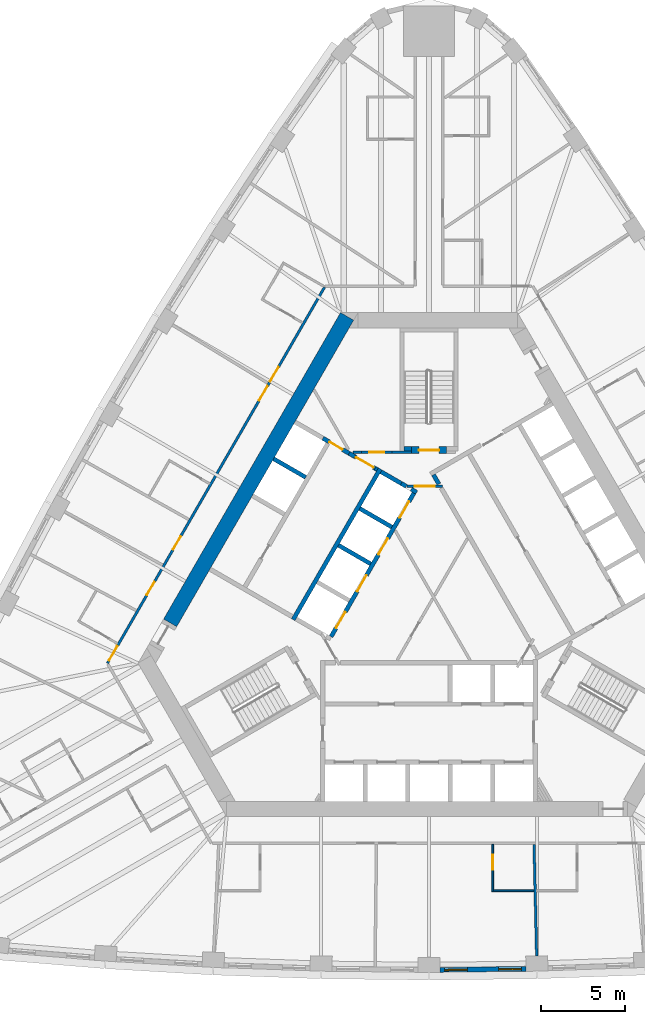
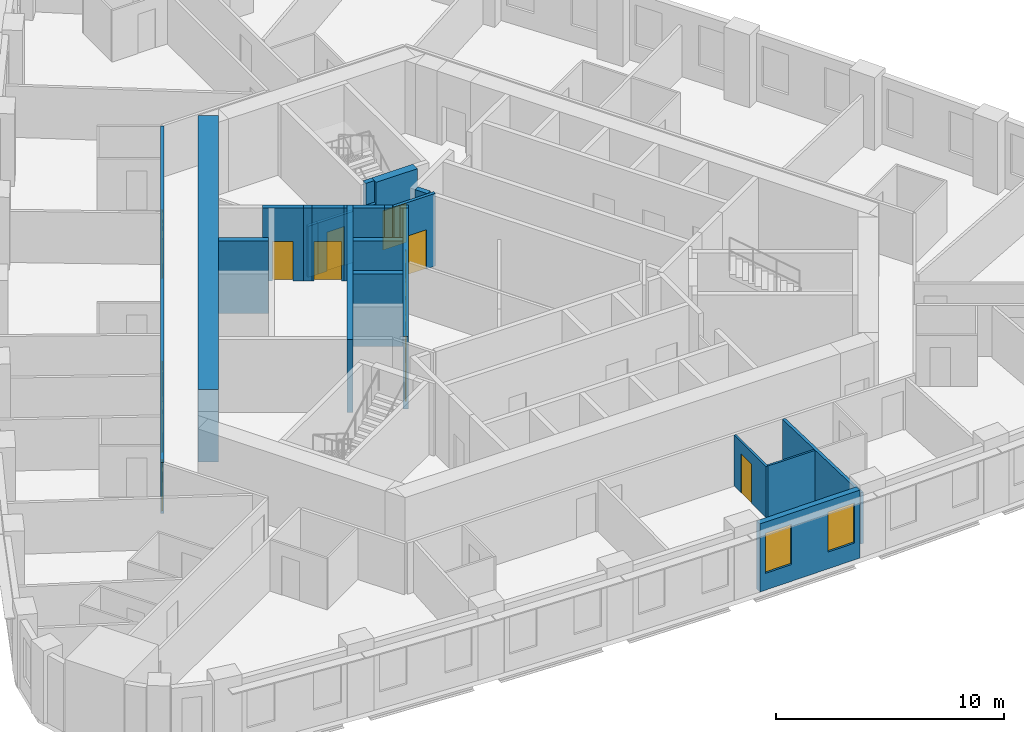
# One storey, part 6 of 12: 25 walls, 15 doors, 2 windows, 17 openings.
"""IFC4 building model written with IfcOpenShell, lengths in metres."""

from ifc_helpers import new_model, si_unit, direction, frame, frame_2d, origin, place, context, subcontext, project, spatial, polyline, rectangle, outline, extrude, material, layer, layer_set, type_object, element, fill, save


model = new_model("IFC4")

# Units and contexts
model_context = context("Model", 3, precision=1e-05, world=origin(), true_north=direction((0.0, 1.0)))
body_context = subcontext(model_context, "Body", "Model", "MODEL_VIEW")
ifc_project = project(units=[si_unit("LENGTHUNIT", "METRE"), si_unit("AREAUNIT", "SQUARE_METRE"), si_unit("VOLUMEUNIT", "CUBIC_METRE"), si_unit("PLANEANGLEUNIT", "RADIAN"), si_unit("MASSUNIT", "GRAM", prefix="KILO")], contexts=[model_context])

# Site, building, storey
site_placement = place(None, origin())
site = spatial("IfcSite", under=ifc_project, at=site_placement, CompositionType="ELEMENT")
building_placement = place(site_placement, origin())
building = spatial("IfcBuilding", under=site, at=building_placement, Name="Mestral Congress Tower", CompositionType="ELEMENT")
storey_placement = place(building_placement, frame((0.0, 0.0, 122.699951171875)))
storey = spatial("IfcBuildingStorey", under=building, at=storey_placement, Name="L29", CompositionType="ELEMENT", Elevation=122.699951171875)

# Walls
ifc_material_1 = material(Name="Fire-rated board partition")
ifc_layer_1 = layer(ifc_material_1, 0.14990234375)
ifc_layer_set_1 = layer_set([ifc_layer_1], Name="Fire-rated board partition")
wall_type_1 = type_object("IfcWallType", Name="Core partition 150", PredefinedType="PARTITIONING", material=ifc_layer_set_1)
wall_1_placement = place(storey_placement, frame((-2.195068359375, 8.62548828125, 0.0), z_axis=(0.0, 0.0, 1.0), x_axis=(1.0, 0.0, 0.0)))
element("IfcWall", 1, at=wall_1_placement, inside=storey, type_object=wall_type_1, Name="L29 core wall", PredefinedType="PARTITIONING", context=body_context, shape_type="SweptSolid", body=[
    extrude(rectangle(XDim=1.14501953125, YDim=0.14990234375, at=frame_2d((0.572509765625, 0.0))), origin(), (0.0, 0.0, 1.0), 2.75),
])
wall_2_placement = place(storey_placement, frame((-4.497802734375, 8.625244140625, 0.0), z_axis=(0.0, 0.0, 1.0), x_axis=(1.0, 0.0, 0.0)))
element("IfcWall", 2, at=wall_2_placement, inside=storey, type_object=wall_type_1, Name="L29 core wall", PredefinedType="PARTITIONING", context=body_context, shape_type="SweptSolid", body=[
    extrude(rectangle(XDim=0.50244140625, YDim=0.14990234375, at=frame_2d((0.251220703125, 0.0))), origin(), (0.0, 0.0, 1.0), 2.75),
])

# Wall, opening, door
wall_3_placement = place(storey_placement, frame((-2.1953125, 8.625, 0.0), z_axis=(0.0, 0.0, 1.0), x_axis=(-1.0, 0.0, 0.0)))
wall_3 = element("IfcWall", 3, at=wall_3_placement, inside=storey, type_object=wall_type_1, Name="L29 door wall", PredefinedType="PARTITIONING", context=body_context, shape_type="SweptSolid", body=[
    extrude(rectangle(XDim=1.7998046875, YDim=0.14990234375, at=frame_2d((0.89990234375, 0.0))), origin(), (0.0, 0.0, 1.0), 2.75),
])
opening_1_placement = place(wall_3_placement, frame((0.449951171875, 0.0, 0.0)))
opening_1 = element("IfcOpeningElement", 4, at=opening_1_placement, cuts=wall_3, Name="Opening TD2", PredefinedType="OPENING", context=body_context, shape_type="SweptSolid", body=[
    extrude(rectangle(XDim=0.89990234375, YDim=2.10009765625, at=frame_2d((0.449951171875, 1.050048828125))), frame((0.0, 0.0849609375, 0.0), z_axis=(0.0, -1.0, 0.0), x_axis=(1.0, 0.0, 0.0)), (0.0, 0.0, 1.0), 0.169921875),
])
ifc_material_2 = material(Name="Fire-rated steel door set", Category="steel")
door_type_1 = type_object("IfcDoorType", Name="Core door SR 900x2100", OperationType="SINGLE_SWING_LEFT", PredefinedType="DOOR", material=ifc_material_2)
door_1_placement = place(opening_1_placement, origin())
door_1 = element("IfcDoor", 5, at=door_1_placement, inside=storey, type_object=door_type_1, Name="Door TD2", OperationType="SINGLE_SWING_LEFT", OverallHeight=2.10009765625, OverallWidth=0.89990234375, PredefinedType="DOOR", context=body_context, shape_type="SweptSolid", body=[
    extrude(rectangle(XDim=0.89990234375, YDim=2.10009765625, at=frame_2d((0.449951171875, 1.050048828125))), frame((0.0, 0.02490234375, 0.0), z_axis=(0.0, -1.0, 0.0), x_axis=(1.0, 0.0, 0.0)), (0.0, 0.0, 1.0), 0.050048828125),
])
fill(opening_1, door_1)

# Wall
ifc_material_3 = material(Name="Concrete C60/75", Category="concrete")
ifc_layer_2 = layer(ifc_material_3, 0.89990234375)
ifc_layer_set_2 = layer_set([ifc_layer_2], Name="Concrete C60/75")
wall_type_2 = type_object("IfcWallType", Name="Core wall RC 900", PredefinedType="SOLIDWALL", material=ifc_layer_set_2)
wall_4_placement = place(storey_placement, frame((-15.359619140625, -1.50341796875, 0.0), z_axis=(0.0, 0.0, 1.0), x_axis=(0.50000389221, 0.866023156604, 0.0)))
element("IfcWall", 6, at=wall_4_placement, inside=storey, type_object=wall_type_2, Name="L29 core wall", PredefinedType="SOLIDWALL", context=body_context, shape_type="SweptSolid", body=[
    extrude(rectangle(XDim=21.000244140625, YDim=0.89990234375, at=frame_2d((10.5, 0.0))), origin(), (0.0, 0.0, 1.0), 3.900146484375),
])

# Wall, openings, windows
ifc_material_4 = material(Name="Precast concrete C40/50 with limestone facing", Category="masonry")
ifc_layer_3 = layer(ifc_material_4, 0.2900390625)
ifc_layer_set_3 = layer_set([ifc_layer_3], Name="Precast concrete C40/50 with limestone facing")
wall_type_3 = type_object("IfcWallType", Name="Facade stone wall 290", PredefinedType="SOLIDWALL", material=ifc_layer_set_3)
wall_5_placement = place(storey_placement, frame((0.6533203125, -22.091064453125, 0.0), z_axis=(0.0, 0.0, 1.0), x_axis=(0.999931786565, 0.011679992145, 0.0)))
wall_5 = element("IfcWall", 7, at=wall_5_placement, inside=storey, type_object=wall_type_3, Name="Facade wall F0-04", PredefinedType="SOLIDWALL", context=body_context, shape_type="SweptSolid", body=[
    extrude(rectangle(XDim=5.10009765625, YDim=0.2900390625, at=frame_2d((2.550048828125, 0.0))), origin(), (0.0, 0.0, 1.0), 3.650146484375),
])
opening_2_placement = place(wall_5_placement, frame((0.272705078125, 0.0, 0.89990234375)))
opening_2 = element("IfcOpeningElement", 8, at=opening_2_placement, cuts=wall_5, Name="Opening W2", PredefinedType="OPENING", context=body_context, shape_type="SweptSolid", body=[
    extrude(rectangle(XDim=1.35009765625, YDim=2.14990234375, at=frame_2d((0.675048828125, 1.074951171875))), frame((0.0, 0.155029296875, 0.0), z_axis=(0.0, -1.0, 0.0), x_axis=(1.0, 0.0, 0.0)), (0.0, 0.0, 1.0), 0.31005859375),
])
opening_3_placement = place(wall_5_placement, frame((3.477783203125, 0.0, 0.89990234375)))
opening_3 = element("IfcOpeningElement", 9, at=opening_3_placement, cuts=wall_5, Name="Opening W2", PredefinedType="OPENING", context=body_context, shape_type="SweptSolid", body=[
    extrude(rectangle(XDim=1.35009765625, YDim=2.14990234375, at=frame_2d((0.675048828125, 1.074951171875))), frame((0.0, 0.155029296875, 0.0), z_axis=(0.0, -1.0, 0.0), x_axis=(1.0, 0.0, 0.0)), (0.0, 0.0, 1.0), 0.31005859375),
])
ifc_material_5 = material(Name="Clear low-emissivity double glazing", Category="glass")
window_type = type_object("IfcWindowType", Name="Facade punched window 1350 x 2150 sill 900", PartitioningType="DOUBLE_PANEL_VERTICAL", PredefinedType="WINDOW", material=ifc_material_5)
window_1_placement = place(opening_2_placement, origin())
window_1 = element("IfcWindow", 10, at=window_1_placement, inside=storey, type_object=window_type, Name="Window F0-04a", OverallHeight=2.14990234375, OverallWidth=1.35009765625, PartitioningType="DOUBLE_PANEL_VERTICAL", PredefinedType="WINDOW", context=body_context, shape_type="SweptSolid", body=[
    extrude(rectangle(XDim=1.35009765625, YDim=2.14990234375, at=frame_2d((0.675048828125, 1.074951171875))), frame((0.0, 0.01513671875, 0.0), z_axis=(0.0, -1.0, 0.0), x_axis=(1.0, 0.0, 0.0)), (0.0, 0.0, 1.0), 0.06005859375),
])
fill(opening_2, window_1)
window_2_placement = place(opening_3_placement, origin())
window_2 = element("IfcWindow", 11, at=window_2_placement, inside=storey, type_object=window_type, Name="Window F0-04b", OverallHeight=2.14990234375, OverallWidth=1.35009765625, PartitioningType="DOUBLE_PANEL_VERTICAL", PredefinedType="WINDOW", context=body_context, shape_type="SweptSolid", body=[
    extrude(rectangle(XDim=1.35009765625, YDim=2.14990234375, at=frame_2d((0.675048828125, 1.074951171875))), frame((0.0, 0.01513671875, 0.0), z_axis=(0.0, -1.0, 0.0), x_axis=(1.0, 0.0, 0.0)), (0.0, 0.0, 1.0), 0.06005859375),
])
fill(opening_3, window_2)

# Wall, opening, door
ifc_material_6 = material(Name="Gypsum board partition on metal studs with mineral wool", Category="composite")
ifc_layer_4 = layer(ifc_material_6, 0.10009765625)
ifc_layer_set_4 = layer_set([ifc_layer_4], Name="Gypsum board partition on metal studs with mineral wool")
wall_type_4 = type_object("IfcWallType", Name="Hotel partition wall 100", PredefinedType="PARTITIONING", material=ifc_layer_set_4)
wall_6_placement = place(storey_placement, frame((3.7802734375, -14.64990234375, 0.0), z_axis=(0.0, 0.0, 1.0), x_axis=(0.0, -1.0, 0.0)))
wall_6 = element("IfcWall", 12, at=wall_6_placement, inside=storey, type_object=wall_type_4, Name="L29-h-pod03a", PredefinedType="PARTITIONING", context=body_context, shape_type="SweptSolid", body=[
    extrude(rectangle(XDim=2.800048828125, YDim=0.10009765625, at=frame_2d((1.39990234375, 0.0))), origin(), (0.0, 0.0, 1.0), 2.75),
])
opening_4_placement = place(wall_6_placement, frame((0.60009765625, 0.0, 0.0)))
opening_4 = element("IfcOpeningElement", 13, at=opening_4_placement, cuts=wall_6, Name="Opening H09-006", PredefinedType="OPENING", context=body_context, shape_type="SweptSolid", body=[
    extrude(rectangle(XDim=0.89990234375, YDim=2.10009765625, at=frame_2d((0.449951171875, 1.050048828125))), frame((0.0, 0.06005859375, 0.0), z_axis=(0.0, -1.0, 0.0), x_axis=(1.0, 0.0, 0.0)), (0.0, 0.0, 1.0), 0.1201171875),
])
ifc_material_7 = material(Name="Timber veneer door leaf in timber frame", Category="wood")
door_type_2 = type_object("IfcDoorType", Name="Bathroom door 900", OperationType="SINGLE_SWING_LEFT", PredefinedType="DOOR", material=ifc_material_7)
door_2_placement = place(opening_4_placement, origin())
door_2 = element("IfcDoor", 14, at=door_2_placement, inside=storey, type_object=door_type_2, Name="L29-h-d006", OperationType="SINGLE_SWING_RIGHT", OverallHeight=2.10009765625, OverallWidth=0.89990234375, PredefinedType="DOOR", context=body_context, shape_type="SweptSolid", body=[
    extrude(rectangle(XDim=0.89990234375, YDim=2.10009765625, at=frame_2d((0.449951171875, 1.050048828125))), frame((0.0, 0.02490234375, 0.0), z_axis=(0.0, -1.0, 0.0), x_axis=(1.0, 0.0, 0.0)), (0.0, 0.0, 1.0), 0.050048828125),
])
fill(opening_4, door_2)

# Wall
wall_7_placement = place(storey_placement, frame((3.830078125, -17.39990234375, 0.0), z_axis=(0.0, 0.0, 1.0), x_axis=(1.0, 0.0, 0.0)))
element("IfcWall", 15, at=wall_7_placement, inside=storey, type_object=wall_type_4, Name="L29-h-pod03b", PredefinedType="PARTITIONING", context=body_context, shape_type="SweptSolid", body=[
    extrude(rectangle(XDim=2.39013671875, YDim=0.10009765625, at=frame_2d((1.195068359375, 0.0))), origin(), (0.0, 0.0, 1.0), 2.75),
])

# Wall, openings, doors
ifc_layer_5 = layer(ifc_material_6, 0.14990234375)
ifc_layer_set_5 = layer_set([ifc_layer_5], Name="Gypsum board partition on metal studs with mineral wool")
wall_type_5 = type_object("IfcWallType", Name="Hotel partition wall 150", PredefinedType="PARTITIONING", material=ifc_layer_set_5)
wall_8_placement = place(storey_placement, frame((-19.081298828125, -3.89990234375, 0.0), z_axis=(0.0, 0.0, 1.0), x_axis=(0.499998313975, 0.866026377209, 0.0)))
wall_8 = element("IfcWall", 16, at=wall_8_placement, inside=storey, type_object=wall_type_5, Name="L29-h-cw08", PredefinedType="PARTITIONING", context=body_context, shape_type="SweptSolid", body=[
    extrude(rectangle(XDim=25.76611328125, YDim=0.14990234375, at=frame_2d((12.883056640625, 0.0))), origin(), (0.0, 0.0, 1.0), 2.75),
])
opening_5_placement = place(wall_8_placement, frame((19.30615234375, 0.0, 0.0)))
opening_5 = element("IfcOpeningElement", 17, at=opening_5_placement, cuts=wall_8, Name="Opening H09-027", PredefinedType="OPENING", context=body_context, shape_type="SweptSolid", body=[
    extrude(rectangle(XDim=1.0, YDim=2.10009765625, at=frame_2d((0.5, 1.050048828125))), frame((0.0, 0.0849609375, 0.0), z_axis=(0.0, -1.0, 0.0), x_axis=(1.0, 0.0, 0.0)), (0.0, 0.0, 1.0), 0.169921875),
])
opening_6_placement = place(wall_8_placement, frame((17.99951171875, 0.0, 0.0)))
opening_6 = element("IfcOpeningElement", 18, at=opening_6_placement, cuts=wall_8, Name="Opening H09-029", PredefinedType="OPENING", context=body_context, shape_type="SweptSolid", body=[
    extrude(rectangle(XDim=1.0, YDim=2.10009765625, at=frame_2d((0.5, 1.050048828125))), frame((0.0, 0.0849609375, 0.0), z_axis=(0.0, -1.0, 0.0), x_axis=(1.0, 0.0, 0.0)), (0.0, 0.0, 1.0), 0.169921875),
])
opening_7_placement = place(wall_8_placement, frame((7.792724609375, 0.0, 0.0)))
opening_7 = element("IfcOpeningElement", 19, at=opening_7_placement, cuts=wall_8, Name="Opening H09-031", PredefinedType="OPENING", context=body_context, shape_type="SweptSolid", body=[
    extrude(rectangle(XDim=0.89990234375, YDim=2.10009765625, at=frame_2d((0.449951171875, 1.050048828125))), frame((0.0, 0.0849609375, 0.0), z_axis=(0.0, -1.0, 0.0), x_axis=(1.0, 0.0, 0.0)), (0.0, 0.0, 1.0), 0.169921875),
])
opening_8_placement = place(wall_8_placement, frame((4.674072265625, 0.0, 0.0)))
opening_8 = element("IfcOpeningElement", 20, at=opening_8_placement, cuts=wall_8, Name="Opening H09-032", PredefinedType="OPENING", context=body_context, shape_type="SweptSolid", body=[
    extrude(rectangle(XDim=0.89990234375, YDim=2.10009765625, at=frame_2d((0.449951171875, 1.050048828125))), frame((0.0, 0.0849609375, 0.0), z_axis=(0.0, -1.0, 0.0), x_axis=(1.0, 0.0, 0.0)), (0.0, 0.0, 1.0), 0.169921875),
])
opening_9_placement = place(wall_8_placement, frame((0.179931640625, 0.0, 0.0)))
opening_9 = element("IfcOpeningElement", 21, at=opening_9_placement, cuts=wall_8, Name="Opening H09-033", PredefinedType="OPENING", context=body_context, shape_type="SweptSolid", body=[
    extrude(rectangle(XDim=1.0, YDim=2.10009765625, at=frame_2d((0.5, 1.050048828125))), frame((0.0, 0.0849609375, 0.0), z_axis=(0.0, -1.0, 0.0), x_axis=(1.0, 0.0, 0.0)), (0.0, 0.0, 1.0), 0.169921875),
])
ifc_material_8 = material(Name="Timber veneer door leaf in metal frame", Category="wood")
door_type_3 = type_object("IfcDoorType", Name="Guest room entrance door 1000", OperationType="SINGLE_SWING_LEFT", PredefinedType="DOOR", material=ifc_material_8)
door_3_placement = place(opening_5_placement, origin())
door_3 = element("IfcDoor", 22, at=door_3_placement, inside=storey, type_object=door_type_3, Name="L29-h-d027", OperationType="SINGLE_SWING_LEFT", OverallHeight=2.10009765625, OverallWidth=1.0, PredefinedType="DOOR", context=body_context, shape_type="SweptSolid", body=[
    extrude(rectangle(XDim=1.0, YDim=2.10009765625, at=frame_2d((0.5, 1.050048828125))), frame((0.0, 0.02490234375, 0.0), z_axis=(0.0, -1.0, 0.0), x_axis=(1.0, 0.0, 0.0)), (0.0, 0.0, 1.0), 0.050048828125),
])
fill(opening_5, door_3)
door_4_placement = place(opening_6_placement, origin())
door_4 = element("IfcDoor", 23, at=door_4_placement, inside=storey, type_object=door_type_3, Name="L29-h-d029", OperationType="SINGLE_SWING_RIGHT", OverallHeight=2.10009765625, OverallWidth=1.0, PredefinedType="DOOR", context=body_context, shape_type="SweptSolid", body=[
    extrude(rectangle(XDim=1.0, YDim=2.10009765625, at=frame_2d((0.5, 1.050048828125))), frame((0.0, 0.02490234375, 0.0), z_axis=(0.0, -1.0, 0.0), x_axis=(1.0, 0.0, 0.0)), (0.0, 0.0, 1.0), 0.050048828125),
])
fill(opening_6, door_4)
door_5_placement = place(opening_9_placement, origin())
door_5 = element("IfcDoor", 24, at=door_5_placement, inside=storey, type_object=door_type_3, Name="L29-h-d033", OperationType="SINGLE_SWING_LEFT", OverallHeight=2.10009765625, OverallWidth=1.0, PredefinedType="DOOR", context=body_context, shape_type="SweptSolid", body=[
    extrude(rectangle(XDim=1.0, YDim=2.10009765625, at=frame_2d((0.5, 1.050048828125))), frame((0.0, 0.02490234375, 0.0), z_axis=(0.0, -1.0, 0.0), x_axis=(1.0, 0.0, 0.0)), (0.0, 0.0, 1.0), 0.050048828125),
])
fill(opening_9, door_5)
door_type_4 = type_object("IfcDoorType", Name="Service room door 900", OperationType="SINGLE_SWING_LEFT", PredefinedType="DOOR", material=ifc_material_8)
door_6_placement = place(opening_7_placement, origin())
door_6 = element("IfcDoor", 25, at=door_6_placement, inside=storey, type_object=door_type_4, Name="L29-h-d031", OperationType="SINGLE_SWING_RIGHT", OverallHeight=2.10009765625, OverallWidth=0.89990234375, PredefinedType="DOOR", context=body_context, shape_type="SweptSolid", body=[
    extrude(rectangle(XDim=0.89990234375, YDim=2.10009765625, at=frame_2d((0.449951171875, 1.050048828125))), frame((0.0, 0.02490234375, 0.0), z_axis=(0.0, -1.0, 0.0), x_axis=(1.0, 0.0, 0.0)), (0.0, 0.0, 1.0), 0.050048828125),
])
fill(opening_7, door_6)
door_7_placement = place(opening_8_placement, origin())
door_7 = element("IfcDoor", 26, at=door_7_placement, inside=storey, type_object=door_type_4, Name="L29-h-d032", OperationType="SINGLE_SWING_LEFT", OverallHeight=2.10009765625, OverallWidth=0.89990234375, PredefinedType="DOOR", context=body_context, shape_type="SweptSolid", body=[
    extrude(rectangle(XDim=0.89990234375, YDim=2.10009765625, at=frame_2d((0.449951171875, 1.050048828125))), frame((0.0, 0.02490234375, 0.0), z_axis=(0.0, -1.0, 0.0), x_axis=(1.0, 0.0, 0.0)), (0.0, 0.0, 1.0), 0.050048828125),
])
fill(opening_8, door_7)

# Walls
wall_9_placement = place(storey_placement, frame((6.388916015625, -21.268798828125, 0.0), z_axis=(0.0, 0.0, 1.0), x_axis=(-0.023377429176, 0.999726710559, 0.0)))
element("IfcWall", 27, at=wall_9_placement, inside=storey, type_object=wall_type_5, Name="L29-h-pw14", PredefinedType="PARTITIONING", context=body_context, shape_type="SweptSolid", body=[
    extrude(rectangle(XDim=6.610595703125, YDim=0.14990234375, at=frame_2d((3.30517578125, 0.0))), origin(), (0.0, 0.0, 1.0), 2.75),
])
ifc_layer_6 = layer(ifc_material_3, 0.25)
ifc_layer_set_6 = layer_set([ifc_layer_6], Name="Concrete C60/75")
wall_type_6 = type_object("IfcWallType", Name="Shaft wall RC 250", PredefinedType="SOLIDWALL", material=ifc_layer_set_6)
wall_10_placement = place(storey_placement, frame((0.268310546875, 7.28515625, 0.0), z_axis=(0.0, 0.0, 1.0), x_axis=(0.500098681536, -0.865968422476, 0.0)))
element("IfcWall", 28, at=wall_10_placement, inside=storey, type_object=wall_type_6, Name="L29 core wall", PredefinedType="SOLIDWALL", context=body_context, shape_type="SweptSolid", body=[
    extrude(rectangle(XDim=0.636474609375, YDim=0.25, at=frame_2d((0.318359375, 0.0))), origin(), (0.0, 0.0, 1.0), 3.900146484375),
])
wall_11_placement = place(storey_placement, frame((-8.06005859375, -1.310546875, 0.0), z_axis=(0.0, 0.0, 1.0), x_axis=(0.50000273126, 0.866023826885, 0.0)))
element("IfcWall", 29, at=wall_11_placement, inside=storey, type_object=wall_type_6, Name="L29 core wall", PredefinedType="SOLIDWALL", context=body_context, shape_type="SweptSolid", body=[
    extrude(rectangle(XDim=10.330078125, YDim=0.25, at=frame_2d((5.1650390625, 0.0))), origin(), (0.0, 0.0, 1.0), 3.900146484375),
])
wall_12_placement = place(storey_placement, frame((-1.34228515625, 6.5947265625, 0.0), z_axis=(0.0, 0.0, 1.0), x_axis=(-0.866046247233, 0.49996389635, 0.0)))
element("IfcWall", 30, at=wall_12_placement, inside=storey, type_object=wall_type_6, Name="L29 core wall", PredefinedType="SOLIDWALL", context=body_context, shape_type="SweptSolid", body=[
    extrude(rectangle(XDim=0.35009765625, YDim=0.25, at=frame_2d((0.175048828125, 0.0))), origin(), (0.0, 0.0, 1.0), 3.900146484375),
])
wall_13_placement = place(storey_placement, frame((-1.6474609375, 6.770751953125, 0.0), z_axis=(0.0, 0.0, 1.0), x_axis=(-0.865971728693, 0.500092956464, 0.0)))
element("IfcWall", 31, at=wall_13_placement, inside=storey, type_object=wall_type_6, Name="L29 core wall", PredefinedType="SOLIDWALL", context=body_context, shape_type="SweptSolid", body=[
    extrude(rectangle(XDim=1.387939453125, YDim=0.25, at=frame_2d((0.69384765625, 0.0))), origin(), (0.0, 0.0, 1.0), 3.900146484375),
])
wall_14_placement = place(storey_placement, frame((-0.7275390625, 6.23974609375, 0.0), z_axis=(0.0, 0.0, 1.0), x_axis=(-0.866088799389, 0.499890179513, 0.0)))
element("IfcWall", 32, at=wall_14_placement, inside=storey, type_object=wall_type_6, Name="L29 core wall", PredefinedType="SOLIDWALL", context=body_context, shape_type="SweptSolid", body=[
    extrude(rectangle(XDim=0.3779296875, YDim=0.25, at=frame_2d((0.18896484375, 0.0))), origin(), (0.0, 0.0, 1.0), 3.900146484375),
])
for number, where, z_axis, x_axis, name in (
    (33, (-2.2041015625, 4.182373046875, 0.0), (0.0, 0.0, 1.0), (-0.866008176907, 0.50002983664, 0.0), "L29 core wall"),
    (34, (-5.369384765625, 3.10009765625, 0.0), (0.0, 0.0, 1.0), (0.866008176907, -0.50002983664, 0.0), "L29 core wall"),
):
    element("IfcWall", number, at=place(storey_placement, frame(where, z_axis=z_axis, x_axis=x_axis)), inside=storey, type_object=wall_type_6, Name=name, PredefinedType="SOLIDWALL", context=body_context, shape_type="SweptSolid", body=[
        extrude(rectangle(XDim=2.199951171875, YDim=0.25, at=frame_2d((1.10009765625, 0.0))), origin(), (0.0, 0.0, 1.0), 3.900146484375),
    ])
wall_15_placement = place(storey_placement, origin())
element("IfcWall", 35, at=wall_15_placement, inside=storey, type_object=wall_type_6, Name="L29 core wall", PredefinedType="SOLIDWALL", context=body_context, shape_type="SweptSolid", body=[
    extrude(outline(polyline([(-3.12841796875, 7.4814453125), (-3.2587890625, 7.556640625), (-3.1337890625, 7.773193359375), (-3.00341796875, 7.697998046875), (-3.12841796875, 7.4814453125)])), origin(), (0.0, 0.0, 1.0), 3.900146484375),
])
wall_16_placement = place(storey_placement, frame((-7.313720703125, 7.13232421875, 0.0), z_axis=(0.0, 0.0, 1.0), x_axis=(-0.866008176907, 0.50002983664, 0.0)))
element("IfcWall", 36, at=wall_16_placement, inside=storey, type_object=wall_type_6, Name="L29 core wall", PredefinedType="SOLIDWALL", context=body_context, shape_type="SweptSolid", body=[
    extrude(rectangle(XDim=2.199951171875, YDim=0.25, at=frame_2d((1.10009765625, 0.0))), origin(), (0.0, 0.0, 1.0), 3.900146484375),
])
wall_17_placement = place(storey_placement, frame((-4.40869140625, 8.364990234375, 0.0), z_axis=(0.0, 0.0, 1.0), x_axis=(-0.866057014183, 0.499945245186, 0.0)))
element("IfcWall", 37, at=wall_17_placement, inside=storey, type_object=wall_type_6, Name="L29 core wall", PredefinedType="SOLIDWALL", context=body_context, shape_type="SweptSolid", body=[
    extrude(rectangle(XDim=0.37939453125, YDim=0.25, at=frame_2d((0.189697265625, 0.0))), origin(), (0.0, 0.0, 1.0), 3.900146484375),
])

# Wall, openings, doors
wall_18_placement = place(storey_placement, frame((-0.898193359375, 6.194091796875, 0.0), z_axis=(0.0, 0.0, 1.0), x_axis=(-0.499996202215, -0.866027596426, 0.0)))
wall_18 = element("IfcWall", 38, at=wall_18_placement, inside=storey, type_object=wall_type_6, Name="L29 door wall", PredefinedType="SOLIDWALL", context=body_context, shape_type="SweptSolid", body=[
    extrude(rectangle(XDim=9.830078125, YDim=0.25, at=frame_2d((4.9150390625, 0.0))), origin(), (0.0, 0.0, 1.0), 3.900146484375),
])
opening_10_placement = place(wall_18_placement, frame((0.5849609375, 0.0, 0.0)))
opening_10 = element("IfcOpeningElement", 39, at=opening_10_placement, cuts=wall_18, Name="Opening LD-NWB1", PredefinedType="OPENING", context=body_context, shape_type="SweptSolid", body=[
    extrude(rectangle(XDim=1.10009765625, YDim=2.10009765625, at=frame_2d((0.550048828125, 1.050048828125))), frame((0.0, 0.135009765625, 0.0), z_axis=(0.0, -1.0, 0.0), x_axis=(1.0, 0.0, 0.0)), (0.0, 0.0, 1.0), 0.27001953125),
])
opening_11_placement = place(wall_18_placement, frame((3.10498046875, 0.0, 0.0)))
opening_11 = element("IfcOpeningElement", 40, at=opening_11_placement, cuts=wall_18, Name="Opening LD-NWB2", PredefinedType="OPENING", context=body_context, shape_type="SweptSolid", body=[
    extrude(rectangle(XDim=1.10009765625, YDim=2.10009765625, at=frame_2d((0.550048828125, 1.050048828125))), frame((0.0, 0.135009765625, 0.0), z_axis=(0.0, -1.0, 0.0), x_axis=(1.0, 0.0, 0.0)), (0.0, 0.0, 1.0), 0.27001953125),
])
opening_12_placement = place(wall_18_placement, frame((5.625, 0.0, 0.0)))
opening_12 = element("IfcOpeningElement", 41, at=opening_12_placement, cuts=wall_18, Name="Opening LD-NWB3", PredefinedType="OPENING", context=body_context, shape_type="SweptSolid", body=[
    extrude(rectangle(XDim=1.10009765625, YDim=2.10009765625, at=frame_2d((0.550048828125, 1.050048828125))), frame((0.0, 0.135009765625, 0.0), z_axis=(0.0, -1.0, 0.0), x_axis=(1.0, 0.0, 0.0)), (0.0, 0.0, 1.0), 0.27001953125),
])
opening_13_placement = place(wall_18_placement, frame((8.14501953125, 0.0, 0.0)))
opening_13 = element("IfcOpeningElement", 42, at=opening_13_placement, cuts=wall_18, Name="Opening LD-NWB4", PredefinedType="OPENING", context=body_context, shape_type="SweptSolid", body=[
    extrude(rectangle(XDim=1.10009765625, YDim=2.10009765625, at=frame_2d((0.550048828125, 1.050048828125))), frame((0.0, 0.135009765625, 0.0), z_axis=(0.0, -1.0, 0.0), x_axis=(1.0, 0.0, 0.0)), (0.0, 0.0, 1.0), 0.27001953125),
])
door_type_5 = type_object("IfcDoorType", Name="Core door LD 1100x2100", OperationType="DOUBLE_DOOR_SLIDING", PredefinedType="DOOR", material=ifc_material_2)
door_8_placement = place(opening_10_placement, origin())
door_8 = element("IfcDoor", 43, at=door_8_placement, inside=storey, type_object=door_type_5, Name="Door LD-NWB1", OperationType="DOUBLE_DOOR_SLIDING", OverallHeight=2.10009765625, OverallWidth=1.10009765625, PredefinedType="DOOR", context=body_context, shape_type="SweptSolid", body=[
    extrude(rectangle(XDim=1.10009765625, YDim=2.10009765625, at=frame_2d((0.550048828125, 1.050048828125))), frame((0.0, 0.02490234375, 0.0), z_axis=(0.0, -1.0, 0.0), x_axis=(1.0, 0.0, 0.0)), (0.0, 0.0, 1.0), 0.050048828125),
])
fill(opening_10, door_8)
door_9_placement = place(opening_11_placement, origin())
door_9 = element("IfcDoor", 44, at=door_9_placement, inside=storey, type_object=door_type_5, Name="Door LD-NWB2", OperationType="DOUBLE_DOOR_SLIDING", OverallHeight=2.10009765625, OverallWidth=1.10009765625, PredefinedType="DOOR", context=body_context, shape_type="SweptSolid", body=[
    extrude(rectangle(XDim=1.10009765625, YDim=2.10009765625, at=frame_2d((0.550048828125, 1.050048828125))), frame((0.0, 0.02490234375, 0.0), z_axis=(0.0, -1.0, 0.0), x_axis=(1.0, 0.0, 0.0)), (0.0, 0.0, 1.0), 0.050048828125),
])
fill(opening_11, door_9)
door_10_placement = place(opening_12_placement, origin())
door_10 = element("IfcDoor", 45, at=door_10_placement, inside=storey, type_object=door_type_5, Name="Door LD-NWB3", OperationType="DOUBLE_DOOR_SLIDING", OverallHeight=2.10009765625, OverallWidth=1.10009765625, PredefinedType="DOOR", context=body_context, shape_type="SweptSolid", body=[
    extrude(rectangle(XDim=1.10009765625, YDim=2.10009765625, at=frame_2d((0.550048828125, 1.050048828125))), frame((0.0, 0.02490234375, 0.0), z_axis=(0.0, -1.0, 0.0), x_axis=(1.0, 0.0, 0.0)), (0.0, 0.0, 1.0), 0.050048828125),
])
fill(opening_12, door_10)
door_11_placement = place(opening_13_placement, origin())
door_11 = element("IfcDoor", 46, at=door_11_placement, inside=storey, type_object=door_type_5, Name="Door LD-NWB4", OperationType="DOUBLE_DOOR_SLIDING", OverallHeight=2.10009765625, OverallWidth=1.10009765625, PredefinedType="DOOR", context=body_context, shape_type="SweptSolid", body=[
    extrude(rectangle(XDim=1.10009765625, YDim=2.10009765625, at=frame_2d((0.550048828125, 1.050048828125))), frame((0.0, 0.02490234375, 0.0), z_axis=(0.0, -1.0, 0.0), x_axis=(1.0, 0.0, 0.0)), (0.0, 0.0, 1.0), 0.050048828125),
])
fill(opening_13, door_11)

# Wall, opening, door
wall_19_placement = place(storey_placement, frame((-4.40869140625, 8.364990234375, 0.0), z_axis=(0.0, 0.0, 1.0), x_axis=(0.866034573852, -0.49998411664, 0.0)))
wall_19 = element("IfcWall", 47, at=wall_19_placement, inside=storey, type_object=wall_type_6, Name="L29 door wall", PredefinedType="SOLIDWALL", context=body_context, shape_type="SweptSolid", body=[
    extrude(rectangle(XDim=1.39990234375, YDim=0.25, at=frame_2d((0.699951171875, 0.0))), origin(), (0.0, 0.0, 1.0), 3.900146484375),
])
opening_14_placement = place(wall_19_placement, frame((0.10009765625, 0.0, 0.0)))
opening_14 = element("IfcOpeningElement", 48, at=opening_14_placement, cuts=wall_19, Name="Opening LB2-WL2", PredefinedType="OPENING", context=body_context, shape_type="SweptSolid", body=[
    extrude(rectangle(XDim=1.199951171875, YDim=2.10009765625, at=frame_2d((0.60009765625, 1.050048828125))), frame((0.0, 0.135009765625, 0.0), z_axis=(0.0, -1.0, 0.0), x_axis=(1.0, 0.0, 0.0)), (0.0, 0.0, 1.0), 0.27001953125),
])
door_type_6 = type_object("IfcDoorType", Name="Core door LB 1200x2100", OperationType="SINGLE_SWING_LEFT", PredefinedType="DOOR", material=ifc_material_2)
door_12_placement = place(opening_14_placement, origin())
door_12 = element("IfcDoor", 49, at=door_12_placement, inside=storey, type_object=door_type_6, Name="Door LB2-WL2", OperationType="SINGLE_SWING_LEFT", OverallHeight=2.10009765625, OverallWidth=1.199951171875, PredefinedType="DOOR", context=body_context, shape_type="SweptSolid", body=[
    extrude(rectangle(XDim=1.199951171875, YDim=2.10009765625, at=frame_2d((0.60009765625, 1.050048828125))), frame((0.0, 0.02490234375, 0.0), z_axis=(0.0, -1.0, 0.0), x_axis=(1.0, 0.0, 0.0)), (0.0, 0.0, 1.0), 0.050048828125),
])
fill(opening_14, door_12)

wall_20_placement = place(storey_placement, frame((-4.7373046875, 8.5546875, 0.0), z_axis=(0.0, 0.0, 1.0), x_axis=(-0.865989075817, 0.500062916607, 0.0)))
wall_20 = element("IfcWall", 50, at=wall_20_placement, inside=storey, type_object=wall_type_6, Name="L29 door wall", PredefinedType="SOLIDWALL", context=body_context, shape_type="SweptSolid", body=[
    extrude(rectangle(XDim=1.800048828125, YDim=0.25, at=frame_2d((0.89990234375, 0.0))), origin(), (0.0, 0.0, 1.0), 3.900146484375),
])
opening_15_placement = place(wall_20_placement, frame((0.449951171875, 0.0, 0.0)))
opening_15 = element("IfcOpeningElement", 51, at=opening_15_placement, cuts=wall_20, Name="Opening SD-HUB3", PredefinedType="OPENING", context=body_context, shape_type="SweptSolid", body=[
    extrude(rectangle(XDim=0.89990234375, YDim=2.10009765625, at=frame_2d((0.449951171875, 1.050048828125))), frame((0.0, 0.135009765625, 0.0), z_axis=(0.0, -1.0, 0.0), x_axis=(1.0, 0.0, 0.0)), (0.0, 0.0, 1.0), 0.27001953125),
])
door_13_placement = place(opening_15_placement, origin())
door_13 = element("IfcDoor", 52, at=door_13_placement, inside=storey, type_object=door_type_1, Name="Door SD-HUB3", OperationType="SINGLE_SWING_LEFT", OverallHeight=2.10009765625, OverallWidth=0.89990234375, PredefinedType="DOOR", context=body_context, shape_type="SweptSolid", body=[
    extrude(rectangle(XDim=0.89990234375, YDim=2.10009765625, at=frame_2d((0.449951171875, 1.050048828125))), frame((0.0, 0.02490234375, 0.0), z_axis=(0.0, -1.0, 0.0), x_axis=(1.0, 0.0, 0.0)), (0.0, 0.0, 1.0), 0.050048828125),
])
fill(opening_15, door_13)

ifc_layer_7 = layer(ifc_material_3, 0.14990234375)
ifc_layer_set_7 = layer_set([ifc_layer_7], Name="Concrete C60/75")
wall_type_7 = type_object("IfcWallType", Name="Shaft wall RC 250 door-wall 150", PredefinedType="SOLIDWALL", material=ifc_layer_set_7)
wall_21_placement = place(storey_placement, frame((-1.303466796875, 6.60009765625, 0.0), z_axis=(0.0, 0.0, 1.0), x_axis=(1.0, 0.0, 0.0)))
wall_21 = element("IfcWall", 53, at=wall_21_placement, inside=storey, type_object=wall_type_7, Name="L29 door wall", PredefinedType="PARTITIONING", context=body_context, shape_type="SweptSolid", body=[
    extrude(rectangle(XDim=2.099853515625, YDim=0.14990234375, at=frame_2d((1.0498046875, 0.0))), origin(), (0.0, 0.0, 1.0), 3.900146484375),
])
opening_16_placement = place(wall_21_placement, frame((0.449951171875, 0.0, 0.0)))
opening_16 = element("IfcOpeningElement", 54, at=opening_16_placement, cuts=wall_21, Name="Opening CD2-HUB1", PredefinedType="OPENING", context=body_context, shape_type="SweptSolid", body=[
    extrude(rectangle(XDim=1.199951171875, YDim=2.10009765625, at=frame_2d((0.60009765625, 1.050048828125))), frame((0.0, 0.0849609375, 0.0), z_axis=(0.0, -1.0, 0.0), x_axis=(1.0, 0.0, 0.0)), (0.0, 0.0, 1.0), 0.169921875),
])
door_type_7 = type_object("IfcDoorType", Name="Core door CD 1200x2100", OperationType="SINGLE_SWING_LEFT", PredefinedType="DOOR", material=ifc_material_2)
door_14_placement = place(opening_16_placement, origin())
door_14 = element("IfcDoor", 55, at=door_14_placement, inside=storey, type_object=door_type_7, Name="Door CD2-HUB1", OperationType="SINGLE_SWING_LEFT", OverallHeight=2.10009765625, OverallWidth=1.199951171875, PredefinedType="DOOR", context=body_context, shape_type="SweptSolid", body=[
    extrude(rectangle(XDim=1.199951171875, YDim=2.10009765625, at=frame_2d((0.60009765625, 1.050048828125))), frame((0.0, 0.02490234375, 0.0), z_axis=(0.0, -1.0, 0.0), x_axis=(1.0, 0.0, 0.0)), (0.0, 0.0, 1.0), 0.050048828125),
])
fill(opening_16, door_14)

# Wall
ifc_layer_8 = layer(ifc_material_3, 0.25)
ifc_layer_set_8 = layer_set([ifc_layer_8], Name="Concrete C60/75")
wall_type_8 = type_object("IfcWallType", Name="Stair wall RC 250", PredefinedType="SOLIDWALL", material=ifc_layer_set_8)
wall_22_placement = place(storey_placement, frame((-1.47509765625, 8.824951171875, 0.0), z_axis=(0.0, 0.0, 1.0), x_axis=(1.0, 0.0, 0.0)))
element("IfcWall", 56, at=wall_22_placement, inside=storey, type_object=wall_type_8, Name="L29 core wall", PredefinedType="SOLIDWALL", context=body_context, shape_type="SweptSolid", body=[
    extrude(rectangle(XDim=0.425048828125, YDim=0.25, at=frame_2d((0.21240234375, 0.0))), origin(), (0.0, 0.0, 1.0), 3.900146484375),
])

# Wall, opening, door
ifc_layer_9 = layer(ifc_material_3, 0.39990234375)
ifc_layer_set_9 = layer_set([ifc_layer_9], Name="Concrete C60/75")
wall_type_9 = type_object("IfcWallType", Name="Stair wall RC 250 door-wall 400", PredefinedType="SOLIDWALL", material=ifc_layer_set_9)
wall_23_placement = place(storey_placement, frame((1.050048828125, 8.75, 0.0), z_axis=(0.0, 0.0, 1.0), x_axis=(-1.0, 0.0, 0.0)))
wall_23 = element("IfcWall", 57, at=wall_23_placement, inside=storey, type_object=wall_type_9, Name="L29 door wall", PredefinedType="SOLIDWALL", context=body_context, shape_type="SweptSolid", body=[
    extrude(rectangle(XDim=2.10009765625, YDim=0.39990234375, at=frame_2d((1.050048828125, 0.0))), origin(), (0.0, 0.0, 1.0), 3.900146484375),
])
opening_17_placement = place(wall_23_placement, frame((0.449951171875, 0.0, 0.0)))
opening_17 = element("IfcOpeningElement", 58, at=opening_17_placement, cuts=wall_23, Name="Opening ST-D2", PredefinedType="OPENING", context=body_context, shape_type="SweptSolid", body=[
    extrude(rectangle(XDim=1.199951171875, YDim=2.10009765625, at=frame_2d((0.60009765625, 1.050048828125))), frame((0.0, 0.2099609375, 0.0), z_axis=(0.0, -1.0, 0.0), x_axis=(1.0, 0.0, 0.0)), (0.0, 0.0, 1.0), 0.419921875),
])
door_type_8 = type_object("IfcDoorType", Name="Core door ST 1200x2100", OperationType="SINGLE_SWING_LEFT", PredefinedType="DOOR", material=ifc_material_2)
door_15_placement = place(opening_17_placement, origin())
door_15 = element("IfcDoor", 59, at=door_15_placement, inside=storey, type_object=door_type_8, Name="Door ST-D2", OperationType="SINGLE_SWING_LEFT", OverallHeight=2.10009765625, OverallWidth=1.199951171875, PredefinedType="DOOR", context=body_context, shape_type="SweptSolid", body=[
    extrude(rectangle(XDim=1.199951171875, YDim=2.10009765625, at=frame_2d((0.60009765625, 1.050048828125))), frame((0.0, 0.02490234375, 0.0), z_axis=(0.0, -1.0, 0.0), x_axis=(1.0, 0.0, 0.0)), (0.0, 0.0, 1.0), 0.050048828125),
])
fill(opening_17, door_15)

save(model, "model.ifc")
